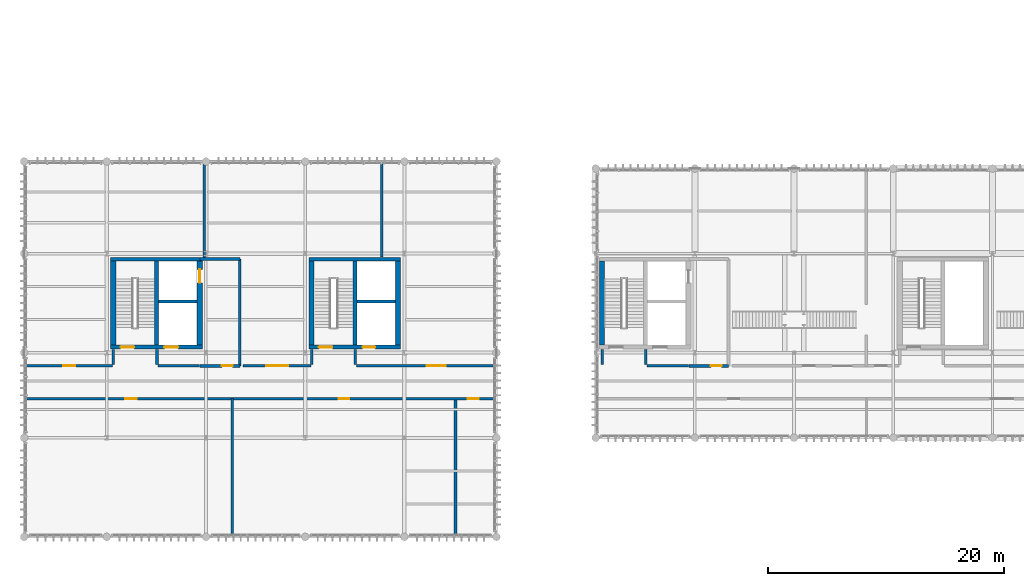
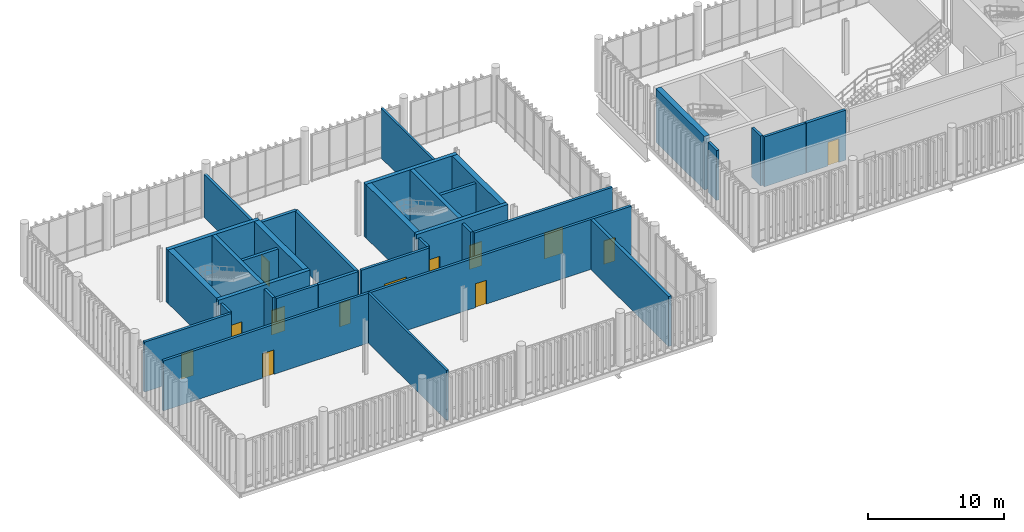
# One storey, part 72 of 86: 33 walls, 13 doors, 13 openings.
"""IFC4 building model written with IfcOpenShell, lengths in metres."""

from ifc_helpers import new_model, si_unit, direction, frame, frame_2d, origin_with_axes, place, context, subcontext, project, spatial, rectangle, extrude, material, layer, layer_set, type_object, element, fill, save


model = new_model("IFC4")

# Units and contexts
model_context = context("Model", 3, precision=1e-05, world=origin_with_axes(), true_north=direction((0.0, 1.0)))
body_context = subcontext(model_context, "Body", "Model", "MODEL_VIEW")
ifc_project = project(units=[si_unit("LENGTHUNIT", "METRE"), si_unit("AREAUNIT", "SQUARE_METRE"), si_unit("VOLUMEUNIT", "CUBIC_METRE"), si_unit("PLANEANGLEUNIT", "RADIAN"), si_unit("MASSUNIT", "GRAM", prefix="KILO"), si_unit("THERMODYNAMICTEMPERATUREUNIT", "KELVIN")], contexts=[model_context])

# Site, building, storey
site_placement = place(None, origin_with_axes())
site = spatial("IfcSite", under=ifc_project, at=site_placement, CompositionType="ELEMENT")
building_placement = place(site_placement, origin_with_axes())
building = spatial("IfcBuilding", under=site, at=building_placement, Name="Montbau Bow Law Courts", CompositionType="ELEMENT")
storey_placement = place(building_placement, frame((0.0, 0.0, 29.7), z_axis=(0.0, 0.0, 1.0), x_axis=(1.0, 0.0, 0.0)))
storey = spatial("IfcBuildingStorey", under=building, at=storey_placement, Name="L06", CompositionType="ELEMENT", Elevation=29.7)

# Wall, opening, door
ifc_material_1 = material(Name="Concrete CSA A23.1 f'c 45 MPa", Category="concrete")
ifc_layer_1 = layer(ifc_material_1, 0.45, Name="Shear Wall", Category="concrete")
ifc_layer_set_1 = layer_set([ifc_layer_1], Name="Concrete CSA A23.1 f'c 45 MPa")
wall_type_1 = type_object("IfcWallType", Name="W-COR-02", PredefinedType="SHEAR", material=ifc_layer_set_1)
wall_1_placement = place(None, frame((21.66, 46.84, 29.7), z_axis=(0.0, 0.0, 1.0), x_axis=(0.0, 1.0, 0.0)))
wall_1 = element("IfcWall", 1, at=wall_1_placement, inside=storey, type_object=wall_type_1, Name="WC-L06-0066:wal_0133", PredefinedType="SHEAR", context=body_context, shape_type="SweptSolid", body=[
    extrude(rectangle(XDim=7.119999999999997, YDim=0.45, at=frame_2d((3.56, 0.0), x_axis=(1.0, 0.0))), origin_with_axes(), (0.0, 0.0, 1.0), 4.8),
])
opening_1_placement = place(None, frame((21.66, 52.69, 29.7), z_axis=(0.0, 0.0, 1.0), x_axis=(0.0, 1.0, 0.0)))
opening_1 = element("IfcOpeningElement", 2, at=opening_1_placement, cuts=wall_1, Name="OP-LD-L06-EL-P2", PredefinedType="OPENING", context=body_context, shape_type="SweptSolid", body=[
    extrude(rectangle(XDim=1.16, YDim=2.2, at=frame_2d((0.0, 1.1), x_axis=(1.0, 0.0))), frame((0.0, 0.235, 0.0), z_axis=(0.0, -1.0, 0.0), x_axis=(1.0, 0.0, 0.0)), (0.0, 0.0, 1.0), 0.47),
])
ifc_material_2 = material(Name="Brushed Stainless Steel Elevator Landing Door", Category="steel")
door_type_1 = type_object("IfcDoorType", Name="LD-PUB-01", OperationType="NOTDEFINED", ParameterTakesPrecedence=False, PredefinedType="DOOR", material=ifc_material_2)
door_1_placement = place(None, frame((21.66, 52.69, 29.7), z_axis=(0.0, 0.0, 1.0), x_axis=(0.0, 1.0, 0.0)))
door_1 = element("IfcDoor", 3, at=door_1_placement, inside=storey, type_object=door_type_1, Name="LD-L06-EL-P2:dor_0067", OperationType="SLIDING_TO_LEFT", OverallHeight=2.2, OverallWidth=1.16, PredefinedType="DOOR", context=body_context, shape_type="SweptSolid", body=[
    extrude(rectangle(XDim=1.16, YDim=2.2, at=frame_2d((0.0, 1.1), x_axis=(1.0, 0.0))), frame((0.0, 0.04, 0.0), z_axis=(0.0, -1.0, 0.0), x_axis=(1.0, 0.0, 0.0)), (0.0, 0.0, 1.0), 0.08),
])
fill(opening_1, door_1)

# Walls
for number, where, z_axis, x_axis, name in (
    (4, (14.34, 53.96, 29.7), (0.0, 0.0, 1.0), (0.0, -1.0, 0.0), "WC-L06-0067:wal_0134"),
    (5, (38.46, 46.84, 29.7), (0.0, 0.0, 1.0), (0.0, 1.0, 0.0), "WC-L06-0126:wal_0193"),
    (6, (31.14, 53.96, 29.7), (0.0, 0.0, 1.0), (0.0, -1.0, 0.0), "WC-L06-0127:wal_0194"),
    (7, (55.74, 53.96, 29.7), (0.0, 0.0, 1.0), (0.0, -1.0, 0.0), "WC-L06-0199:wal_0266"),
):
    element("IfcWall", number, at=place(None, frame(where, z_axis=z_axis, x_axis=x_axis)), inside=storey, type_object=wall_type_1, Name=name, PredefinedType="SHEAR", context=body_context, shape_type="SweptSolid", body=[
        extrude(rectangle(XDim=7.119999999999997, YDim=0.45, at=frame_2d((3.56, 0.0), x_axis=(1.0, 0.0))), origin_with_axes(), (0.0, 0.0, 1.0), 4.8),
    ])

# Wall, openings, doors
ifc_layer_2 = layer(ifc_material_1, 0.32, Name="Shear Wall", Category="concrete")
ifc_layer_set_2 = layer_set([ifc_layer_2], Name="Concrete CSA A23.1 f'c 45 MPa")
wall_type_2 = type_object("IfcWallType", Name="W-COR-05", PredefinedType="SHEAR", material=ifc_layer_set_2)
wall_2_placement = place(None, frame((14.115, 46.68, 29.7), z_axis=(0.0, 0.0, 1.0), x_axis=(1.0, 0.0, 0.0)))
wall_2 = element("IfcWall", 8, at=wall_2_placement, inside=storey, type_object=wall_type_2, Name="WC-L06-0064:wal_0131", PredefinedType="SHEAR", context=body_context, shape_type="SweptSolid", body=[
    extrude(rectangle(XDim=7.770000000000001, YDim=0.32, at=frame_2d((3.885, 0.0), x_axis=(1.0, 0.0))), origin_with_axes(), (0.0, 0.0, 1.0), 4.8),
])
opening_2_placement = place(None, frame((15.535, 46.68, 29.7), z_axis=(0.0, 0.0, 1.0), x_axis=(1.0, 0.0, 0.0)))
opening_2 = element("IfcOpeningElement", 9, at=opening_2_placement, cuts=wall_2, Name="OP-D-L06-ST-P1", PredefinedType="OPENING", context=body_context, shape_type="SweptSolid", body=[
    extrude(rectangle(XDim=1.14, YDim=2.18, at=frame_2d((0.0, 1.09), x_axis=(1.0, 0.0))), frame((0.0, 0.17, 0.0), z_axis=(0.0, -1.0, 0.0), x_axis=(1.0, 0.0, 0.0)), (0.0, 0.0, 1.0), 0.34),
])
opening_3_placement = place(None, frame((19.25, 46.68, 29.7), z_axis=(0.0, 0.0, 1.0), x_axis=(1.0, 0.0, 0.0)))
opening_3 = element("IfcOpeningElement", 10, at=opening_3_placement, cuts=wall_2, Name="OP-LD-L06-EL-P1", PredefinedType="OPENING", context=body_context, shape_type="SweptSolid", body=[
    extrude(rectangle(XDim=1.16, YDim=2.2, at=frame_2d((0.0, 1.1), x_axis=(1.0, 0.0))), frame((0.0, 0.17, 0.0), z_axis=(0.0, -1.0, 0.0), x_axis=(1.0, 0.0, 0.0)), (0.0, 0.0, 1.0), 0.34),
])
ifc_material_3 = material(Name="1.5 h Fire-Rated Hollow-Metal Exit Stair Door", Category="steel")
door_type_2 = type_object("IfcDoorType", Name="D-ST-01", OperationType="NOTDEFINED", ParameterTakesPrecedence=False, PredefinedType="DOOR", material=ifc_material_3)
door_2_placement = place(None, frame((15.535, 46.68, 29.7), z_axis=(0.0, 0.0, 1.0), x_axis=(-1.0, 0.0, 0.0)))
door_2 = element("IfcDoor", 11, at=door_2_placement, inside=storey, type_object=door_type_2, Name="D-L06-ST-P1:dor_0065", OperationType="SINGLE_SWING_RIGHT", OverallHeight=2.18, OverallWidth=1.14, PredefinedType="DOOR", context=body_context, shape_type="SweptSolid", body=[
    extrude(rectangle(XDim=1.14, YDim=2.18, at=frame_2d((0.0, 1.09), x_axis=(1.0, 0.0))), frame((0.0, 0.04, 0.0), z_axis=(0.0, -1.0, 0.0), x_axis=(1.0, 0.0, 0.0)), (0.0, 0.0, 1.0), 0.08),
])
fill(opening_2, door_2)
door_3_placement = place(None, frame((19.25, 46.68, 29.7), z_axis=(0.0, 0.0, 1.0), x_axis=(-1.0, 0.0, 0.0)))
door_3 = element("IfcDoor", 12, at=door_3_placement, inside=storey, type_object=door_type_1, Name="LD-L06-EL-P1:dor_0066", OperationType="SLIDING_TO_LEFT", OverallHeight=2.2, OverallWidth=1.16, PredefinedType="DOOR", context=body_context, shape_type="SweptSolid", body=[
    extrude(rectangle(XDim=1.16, YDim=2.2, at=frame_2d((0.0, 1.1), x_axis=(1.0, 0.0))), frame((0.0, 0.04, 0.0), z_axis=(0.0, -1.0, 0.0), x_axis=(1.0, 0.0, 0.0)), (0.0, 0.0, 1.0), 0.08),
])
fill(opening_3, door_3)

# Walls
wall_3_placement = place(None, frame((21.885, 54.12, 29.7), z_axis=(0.0, 0.0, 1.0), x_axis=(-1.0, 0.0, 0.0)))
element("IfcWall", 13, at=wall_3_placement, inside=storey, type_object=wall_type_2, Name="WC-L06-0065:wal_0132", PredefinedType="SHEAR", context=body_context, shape_type="SweptSolid", body=[
    extrude(rectangle(XDim=7.770000000000001, YDim=0.32, at=frame_2d((3.885, 0.0), x_axis=(1.0, 0.0))), origin_with_axes(), (0.0, 0.0, 1.0), 4.8),
])
wall_4_placement = place(None, frame((18.02, 46.84, 29.7), z_axis=(0.0, 0.0, 1.0), x_axis=(0.0, 1.0, 0.0)))
element("IfcWall", 14, at=wall_4_placement, inside=storey, type_object=wall_type_2, Name="WS-L06-0068:wal_0135", PredefinedType="SHEAR", context=body_context, shape_type="SweptSolid", body=[
    extrude(rectangle(XDim=7.119999999999997, YDim=0.32, at=frame_2d((3.56, 0.0), x_axis=(1.0, 0.0))), origin_with_axes(), (0.0, 0.0, 1.0), 4.8),
])

# Wall, openings, doors
wall_5_placement = place(None, frame((30.915, 46.68, 29.7), z_axis=(0.0, 0.0, 1.0), x_axis=(1.0, 0.0, 0.0)))
wall_5 = element("IfcWall", 15, at=wall_5_placement, inside=storey, type_object=wall_type_2, Name="WC-L06-0124:wal_0191", PredefinedType="SHEAR", context=body_context, shape_type="SweptSolid", body=[
    extrude(rectangle(XDim=7.770000000000003, YDim=0.32, at=frame_2d((3.885, 0.0), x_axis=(1.0, 0.0))), origin_with_axes(), (0.0, 0.0, 1.0), 4.8),
])
opening_4_placement = place(None, frame((32.335, 46.68, 29.7), z_axis=(0.0, 0.0, 1.0), x_axis=(1.0, 0.0, 0.0)))
opening_4 = element("IfcOpeningElement", 16, at=opening_4_placement, cuts=wall_5, Name="OP-D-L06-ST-J1", PredefinedType="OPENING", context=body_context, shape_type="SweptSolid", body=[
    extrude(rectangle(XDim=1.14, YDim=2.18, at=frame_2d((0.0, 1.09), x_axis=(1.0, 0.0))), frame((0.0, 0.17, 0.0), z_axis=(0.0, -1.0, 0.0), x_axis=(1.0, 0.0, 0.0)), (0.0, 0.0, 1.0), 0.34),
])
opening_5_placement = place(None, frame((36.0, 46.68, 29.7), z_axis=(0.0, 0.0, 1.0), x_axis=(1.0, 0.0, 0.0)))
opening_5 = element("IfcOpeningElement", 17, at=opening_5_placement, cuts=wall_5, Name="OP-LD-L06-EL-J1", PredefinedType="OPENING", context=body_context, shape_type="SweptSolid", body=[
    extrude(rectangle(XDim=1.06, YDim=2.16, at=frame_2d((0.0, 1.08), x_axis=(1.0, 0.0))), frame((0.0, 0.17, 0.0), z_axis=(0.0, -1.0, 0.0), x_axis=(1.0, 0.0, 0.0)), (0.0, 0.0, 1.0), 0.34),
])
door_4_placement = place(None, frame((32.335, 46.68, 29.7), z_axis=(0.0, 0.0, 1.0), x_axis=(-1.0, 0.0, 0.0)))
door_4 = element("IfcDoor", 18, at=door_4_placement, inside=storey, type_object=door_type_2, Name="D-L06-ST-J1:dor_0087", OperationType="SINGLE_SWING_RIGHT", OverallHeight=2.18, OverallWidth=1.14, PredefinedType="DOOR", context=body_context, shape_type="SweptSolid", body=[
    extrude(rectangle(XDim=1.14, YDim=2.18, at=frame_2d((0.0, 1.09), x_axis=(1.0, 0.0))), frame((0.0, 0.04, 0.0), z_axis=(0.0, -1.0, 0.0), x_axis=(1.0, 0.0, 0.0)), (0.0, 0.0, 1.0), 0.08),
])
fill(opening_4, door_4)
ifc_material_4 = material(Name="Bronze-Clad Judicial Elevator Landing Door", Category="steel")
door_type_3 = type_object("IfcDoorType", Name="LD-JUD-01", OperationType="NOTDEFINED", ParameterTakesPrecedence=False, PredefinedType="DOOR", material=ifc_material_4)
door_5_placement = place(None, frame((36.0, 46.68, 29.7), z_axis=(0.0, 0.0, 1.0), x_axis=(-1.0, 0.0, 0.0)))
door_5 = element("IfcDoor", 19, at=door_5_placement, inside=storey, type_object=door_type_3, Name="LD-L06-EL-J1:dor_0088", OperationType="SLIDING_TO_LEFT", OverallHeight=2.16, OverallWidth=1.06, PredefinedType="DOOR", context=body_context, shape_type="SweptSolid", body=[
    extrude(rectangle(XDim=1.06, YDim=2.16, at=frame_2d((0.0, 1.08), x_axis=(1.0, 0.0))), frame((0.0, 0.04, 0.0), z_axis=(0.0, -1.0, 0.0), x_axis=(1.0, 0.0, 0.0)), (0.0, 0.0, 1.0), 0.08),
])
fill(opening_5, door_5)

# Walls
wall_6_placement = place(None, frame((38.685, 54.12, 29.7), z_axis=(0.0, 0.0, 1.0), x_axis=(-1.0, 0.0, 0.0)))
element("IfcWall", 20, at=wall_6_placement, inside=storey, type_object=wall_type_2, Name="WC-L06-0125:wal_0192", PredefinedType="SHEAR", context=body_context, shape_type="SweptSolid", body=[
    extrude(rectangle(XDim=7.770000000000003, YDim=0.32, at=frame_2d((3.885, 0.0), x_axis=(1.0, 0.0))), origin_with_axes(), (0.0, 0.0, 1.0), 4.8),
])
wall_7_placement = place(None, frame((34.82, 46.84, 29.7), z_axis=(0.0, 0.0, 1.0), x_axis=(0.0, 1.0, 0.0)))
element("IfcWall", 21, at=wall_7_placement, inside=storey, type_object=wall_type_2, Name="WS-L06-0128:wal_0195", PredefinedType="SHEAR", context=body_context, shape_type="SweptSolid", body=[
    extrude(rectangle(XDim=7.119999999999997, YDim=0.32, at=frame_2d((3.56, 0.0), x_axis=(1.0, 0.0))), origin_with_axes(), (0.0, 0.0, 1.0), 4.8),
])
ifc_material_5 = material(Name="Double-Stud Acoustic Plumbing Chase Gypsum Assembly", Category="gypsum")
ifc_layer_3 = layer(ifc_material_5, 0.26, Name="Plumbing Wall", Category="gypsum")
ifc_layer_set_3 = layer_set([ifc_layer_3], Name="Double-Stud Acoustic Plumbing Chase Gypsum Assembly")
wall_type_3 = type_object("IfcWallType", Name="W-PLM-01", PredefinedType="PLUMBINGWALL", material=ifc_layer_set_3)
wall_8_placement = place(None, frame((43.34, 30.78, 29.7), z_axis=(0.0, 0.0, 1.0), x_axis=(0.0, 1.0, 0.0)))
element("IfcWall", 22, at=wall_8_placement, inside=storey, type_object=wall_type_3, Name="WD-L06-0879:wal_0946", PredefinedType="PLUMBINGWALL", context=body_context, shape_type="SweptSolid", body=[
    extrude(rectangle(XDim=11.43, YDim=0.26, at=frame_2d((5.715, 0.0), x_axis=(1.0, 0.0))), origin_with_axes(), (0.0, 0.0, 1.0), 4.48),
])
ifc_material_6 = material(Name="2 h Shaft and Exit-Passage Fire Separation Partition", Category="gypsum")
ifc_layer_4 = layer(ifc_material_6, 0.25, Name="Partition", Category="gypsum")
ifc_layer_set_4 = layer_set([ifc_layer_4], Name="2 h Shaft and Exit-Passage Fire Separation Partition")
wall_type_4 = type_object("IfcWallType", Name="W-PRT-01", PredefinedType="PARTITIONING", material=ifc_layer_set_4)
wall_9_placement = place(None, frame((18.18, 50.549, 29.7), z_axis=(0.0, 0.0, 1.0), x_axis=(1.0, 0.0, 0.0)))
element("IfcWall", 23, at=wall_9_placement, inside=storey, type_object=wall_type_4, Name="WS-L06-0069:wal_0136", PredefinedType="PARTITIONING", context=body_context, shape_type="SweptSolid", body=[
    extrude(rectangle(XDim=3.254999999999999, YDim=0.25, at=frame_2d((1.6275, 0.0), x_axis=(1.0, 0.0))), origin_with_axes(), (0.0, 0.0, 1.0), 4.48),
])
wall_10_placement = place(None, frame((25.06, 45.09, 29.7), z_axis=(0.0, 0.0, 1.0), x_axis=(0.0, 1.0, 0.0)))
element("IfcWall", 24, at=wall_10_placement, inside=storey, type_object=wall_type_4, Name="WEL-L06-0070:wal_0137", PredefinedType="PARTITIONING", context=body_context, shape_type="SweptSolid", body=[
    extrude(rectangle(XDim=9.029999999999994, YDim=0.25, at=frame_2d((4.515, 0.0), x_axis=(1.0, 0.0))), origin_with_axes(), (0.0, 0.0, 1.0), 4.48),
])
wall_11_placement = place(None, frame((21.7, 54.12, 29.7), z_axis=(0.0, 0.0, 1.0), x_axis=(1.0, 0.0, 0.0)))
element("IfcWall", 25, at=wall_11_placement, inside=storey, type_object=wall_type_4, Name="WEL-L06-0071:wal_0138", PredefinedType="PARTITIONING", context=body_context, shape_type="SweptSolid", body=[
    extrude(rectangle(XDim=3.3599999999999994, YDim=0.25, at=frame_2d((1.68, 0.0), x_axis=(1.0, 0.0))), origin_with_axes(), (0.0, 0.0, 1.0), 4.48),
])

# Wall, opening, door
wall_12_placement = place(None, frame((21.7, 45.09, 29.7), z_axis=(0.0, 0.0, 1.0), x_axis=(1.0, 0.0, 0.0)))
wall_12 = element("IfcWall", 26, at=wall_12_placement, inside=storey, type_object=wall_type_4, Name="WEL-L06-0072:wal_0139", PredefinedType="PARTITIONING", context=body_context, shape_type="SweptSolid", body=[
    extrude(rectangle(XDim=3.3599999999999994, YDim=0.25, at=frame_2d((1.68, 0.0), x_axis=(1.0, 0.0))), origin_with_axes(), (0.0, 0.0, 1.0), 4.48),
])
opening_6_placement = place(None, frame((24.005, 45.09, 29.7), z_axis=(0.0, 0.0, 1.0), x_axis=(1.0, 0.0, 0.0)))
opening_6 = element("IfcOpeningElement", 27, at=opening_6_placement, cuts=wall_12, Name="OP-D-L06-ELB-CORE-W1", PredefinedType="OPENING", context=body_context, shape_type="SweptSolid", body=[
    extrude(rectangle(XDim=0.91, YDim=2.12, at=frame_2d((0.0, 1.06), x_axis=(1.0, 0.0))), frame((0.0, 0.135, 0.0), z_axis=(0.0, -1.0, 0.0), x_axis=(1.0, 0.0, 0.0)), (0.0, 0.0, 1.0), 0.27),
])
ifc_material_7 = material(Name="Public and Judicial Washroom Solid-Core Door", Category="wood")
door_type_4 = type_object("IfcDoorType", Name="D-WC-02", OperationType="NOTDEFINED", ParameterTakesPrecedence=False, PredefinedType="DOOR", material=ifc_material_7)
door_6_placement = place(None, frame((24.005, 45.09, 29.7), z_axis=(0.0, 0.0, 1.0), x_axis=(1.0, 0.0, 0.0)))
door_6 = element("IfcDoor", 28, at=door_6_placement, inside=storey, type_object=door_type_4, Name="D-L06-ELB-CORE-W1:dor_0068", OperationType="SINGLE_SWING_LEFT", OverallHeight=2.12, OverallWidth=0.91, PredefinedType="DOOR", context=body_context, shape_type="SweptSolid", body=[
    extrude(rectangle(XDim=0.91, YDim=2.12, at=frame_2d((0.0, 1.06), x_axis=(1.0, 0.0))), frame((0.0, 0.04, 0.0), z_axis=(0.0, -1.0, 0.0), x_axis=(1.0, 0.0, 0.0)), (0.0, 0.0, 1.0), 0.08),
])
fill(opening_6, door_6)

# Wall
wall_13_placement = place(None, frame((34.98, 50.549, 29.7), z_axis=(0.0, 0.0, 1.0), x_axis=(1.0, 0.0, 0.0)))
element("IfcWall", 29, at=wall_13_placement, inside=storey, type_object=wall_type_4, Name="WS-L06-0129:wal_0196", PredefinedType="PARTITIONING", context=body_context, shape_type="SweptSolid", body=[
    extrude(rectangle(XDim=3.2550000000000026, YDim=0.25, at=frame_2d((1.6275, 0.0), x_axis=(1.0, 0.0))), origin_with_axes(), (0.0, 0.0, 1.0), 4.48),
])

# Wall, opening, door
wall_14_placement = place(None, frame((63.1, 45.09, 29.7), z_axis=(0.0, 0.0, 1.0), x_axis=(1.0, 0.0, 0.0)))
wall_14 = element("IfcWall", 30, at=wall_14_placement, inside=storey, type_object=wall_type_4, Name="WEL-L06-0204:wal_0271", PredefinedType="PARTITIONING", context=body_context, shape_type="SweptSolid", body=[
    extrude(rectangle(XDim=3.3599999999999923, YDim=0.25, at=frame_2d((1.68, 0.0), x_axis=(1.0, 0.0))), origin_with_axes(), (0.0, 0.0, 1.0), 4.48),
])
opening_7_placement = place(None, frame((65.405, 45.09, 29.7), z_axis=(0.0, 0.0, 1.0), x_axis=(1.0, 0.0, 0.0)))
opening_7 = element("IfcOpeningElement", 31, at=opening_7_placement, cuts=wall_14, Name="OP-D-L06-ELB-CORE-C1", PredefinedType="OPENING", context=body_context, shape_type="SweptSolid", body=[
    extrude(rectangle(XDim=0.91, YDim=2.12, at=frame_2d((0.0, 1.06), x_axis=(1.0, 0.0))), frame((0.0, 0.135, 0.0), z_axis=(0.0, -1.0, 0.0), x_axis=(1.0, 0.0, 0.0)), (0.0, 0.0, 1.0), 0.27),
])
door_7_placement = place(None, frame((65.405, 45.09, 29.7), z_axis=(0.0, 0.0, 1.0), x_axis=(1.0, 0.0, 0.0)))
door_7 = element("IfcDoor", 32, at=door_7_placement, inside=storey, type_object=door_type_4, Name="D-L06-ELB-CORE-C1:dor_0120", OperationType="SINGLE_SWING_LEFT", OverallHeight=2.12, OverallWidth=0.91, PredefinedType="DOOR", context=body_context, shape_type="SweptSolid", body=[
    extrude(rectangle(XDim=0.91, YDim=2.12, at=frame_2d((0.0, 1.06), x_axis=(1.0, 0.0))), frame((0.0, 0.04, 0.0), z_axis=(0.0, -1.0, 0.0), x_axis=(1.0, 0.0, 0.0)), (0.0, 0.0, 1.0), 0.08),
])
fill(opening_7, door_7)

# Walls
ifc_material_8 = material(Name="STC-60 High-Acoustic Courtroom Perimeter Partition", Category="gypsum")
ifc_layer_5 = layer(ifc_material_8, 0.22, Name="Partition", Category="gypsum")
ifc_layer_set_5 = layer_set([ifc_layer_5], Name="STC-60 High-Acoustic Courtroom Perimeter Partition")
wall_type_5 = type_object("IfcWallType", Name="W-PRT-02", PredefinedType="PARTITIONING", material=ifc_layer_set_5)
for number, where, z_axis, x_axis, name in (
    (33, (14.34, 45.22, 29.7), (0.0, 0.0, 1.0), (0.0, 1.0, 0.0), "WCX-L06-0870:wal_0937"),
    (34, (18.05, 45.22, 29.7), (0.0, 0.0, 1.0), (0.0, 1.0, 0.0), "WCX-L06-0871:wal_0938"),
    (35, (31.14, 45.22, 29.7), (0.0, 0.0, 1.0), (0.0, 1.0, 0.0), "WCX-L06-0872:wal_0939"),
    (36, (34.85, 45.22, 29.7), (0.0, 0.0, 1.0), (0.0, 1.0, 0.0), "WCX-L06-0873:wal_0940"),
):
    element("IfcWall", number, at=place(None, frame(where, z_axis=z_axis, x_axis=x_axis)), inside=storey, type_object=wall_type_5, Name=name, PredefinedType="PARTITIONING", context=body_context, shape_type="SweptSolid", body=[
        extrude(rectangle(XDim=1.259999999999998, YDim=0.22, at=frame_2d((0.63, 0.0), x_axis=(1.0, 0.0))), origin_with_axes(), (0.0, 0.0, 1.0), 4.48),
    ])

# Wall, opening, door
wall_15_placement = place(None, frame((6.94, 45.09, 29.7), z_axis=(0.0, 0.0, 1.0), x_axis=(1.0, 0.0, 0.0)))
wall_15 = element("IfcWall", 37, at=wall_15_placement, inside=storey, type_object=wall_type_5, Name="WP-L06-0874:wal_0941", PredefinedType="PARTITIONING", context=body_context, shape_type="SweptSolid", body=[
    extrude(rectangle(XDim=7.36, YDim=0.22, at=frame_2d((3.68, 0.0), x_axis=(1.0, 0.0))), origin_with_axes(), (0.0, 0.0, 1.0), 4.48),
])
opening_8_placement = place(None, frame((10.62, 45.09, 29.7), z_axis=(0.0, 0.0, 1.0), x_axis=(1.0, 0.0, 0.0)))
opening_8 = element("IfcOpeningElement", 38, at=opening_8_placement, cuts=wall_15, Name="OP-D-L06-370", PredefinedType="OPENING", context=body_context, shape_type="SweptSolid", body=[
    extrude(rectangle(XDim=1.0, YDim=2.28, at=frame_2d((0.0, 1.14), x_axis=(1.0, 0.0))), frame((0.0, 0.12, 0.0), z_axis=(0.0, -1.0, 0.0), x_axis=(1.0, 0.0, 0.0)), (0.0, 0.0, 1.0), 0.24),
])
ifc_material_9 = material(Name="Prisoner Dock Security Steel Acoustic Door", Category="steel")
door_type_5 = type_object("IfcDoorType", Name="D-CRT-06", OperationType="NOTDEFINED", ParameterTakesPrecedence=False, PredefinedType="DOOR", material=ifc_material_9)
door_8_placement = place(None, frame((10.62, 45.09, 29.7), z_axis=(0.0, 0.0, 1.0), x_axis=(-1.0, 0.0, 0.0)))
door_8 = element("IfcDoor", 39, at=door_8_placement, inside=storey, type_object=door_type_5, Name="D-L06-370:dor_0405", OperationType="SINGLE_SWING_RIGHT", OverallHeight=2.28, OverallWidth=1.0, PredefinedType="DOOR", context=body_context, shape_type="SweptSolid", body=[
    extrude(rectangle(XDim=1.0, YDim=2.28, at=frame_2d((0.0, 1.14), x_axis=(1.0, 0.0))), frame((0.0, 0.04, 0.0), z_axis=(0.0, -1.0, 0.0), x_axis=(1.0, 0.0, 0.0)), (0.0, 0.0, 1.0), 0.08),
])
fill(opening_8, door_8)

# Wall
wall_16_placement = place(None, frame((18.15, 45.09, 29.7), z_axis=(0.0, 0.0, 1.0), x_axis=(1.0, 0.0, 0.0)))
element("IfcWall", 40, at=wall_16_placement, inside=storey, type_object=wall_type_5, Name="WP-L06-0875:wal_0942", PredefinedType="PARTITIONING", context=body_context, shape_type="SweptSolid", body=[
    extrude(rectangle(XDim=3.5100000000000016, YDim=0.22, at=frame_2d((1.755, 0.0), x_axis=(1.0, 0.0))), origin_with_axes(), (0.0, 0.0, 1.0), 4.48),
])

# Wall, opening, door
wall_17_placement = place(None, frame((25.355, 45.09, 29.7), z_axis=(0.0, 0.0, 1.0), x_axis=(1.0, 0.0, 0.0)))
wall_17 = element("IfcWall", 41, at=wall_17_placement, inside=storey, type_object=wall_type_5, Name="WP-L06-0876:wal_0943", PredefinedType="PARTITIONING", context=body_context, shape_type="SweptSolid", body=[
    extrude(rectangle(XDim=5.745000000000001, YDim=0.22, at=frame_2d((2.8725, 0.0), x_axis=(1.0, 0.0))), origin_with_axes(), (0.0, 0.0, 1.0), 4.48),
])
opening_9_placement = place(None, frame((28.227, 45.09, 29.7), z_axis=(0.0, 0.0, 1.0), x_axis=(1.0, 0.0, 0.0)))
opening_9 = element("IfcOpeningElement", 42, at=opening_9_placement, cuts=wall_17, Name="OP-D-L06-371", PredefinedType="OPENING", context=body_context, shape_type="SweptSolid", body=[
    extrude(rectangle(XDim=1.88, YDim=2.56, at=frame_2d((0.0, 1.28), x_axis=(1.0, 0.0))), frame((0.0, 0.12, 0.0), z_axis=(0.0, -1.0, 0.0), x_axis=(1.0, 0.0, 0.0)), (0.0, 0.0, 1.0), 0.24),
])
ifc_material_10 = material(Name="Acoustic White-Oak Criminal Jury Courtroom Double Door", Category="wood")
door_type_6 = type_object("IfcDoorType", Name="D-CRT-02", OperationType="NOTDEFINED", ParameterTakesPrecedence=False, PredefinedType="DOOR", material=ifc_material_10)
door_9_placement = place(None, frame((28.227, 45.09, 29.7), z_axis=(0.0, 0.0, 1.0), x_axis=(-1.0, 0.0, 0.0)))
door_9 = element("IfcDoor", 43, at=door_9_placement, inside=storey, type_object=door_type_6, Name="D-L06-371:dor_0406", OperationType="DOUBLE_DOOR_SINGLE_SWING", OverallHeight=2.56, OverallWidth=1.88, PredefinedType="DOOR", context=body_context, shape_type="SweptSolid", body=[
    extrude(rectangle(XDim=1.88, YDim=2.56, at=frame_2d((0.0, 1.28), x_axis=(1.0, 0.0))), frame((0.0, 0.04, 0.0), z_axis=(0.0, -1.0, 0.0), x_axis=(1.0, 0.0, 0.0)), (0.0, 0.0, 1.0), 0.08),
])
fill(opening_9, door_9)

wall_18_placement = place(None, frame((34.95, 45.09, 29.7), z_axis=(0.0, 0.0, 1.0), x_axis=(1.0, 0.0, 0.0)))
wall_18 = element("IfcWall", 44, at=wall_18_placement, inside=storey, type_object=wall_type_5, Name="WP-L06-0877:wal_0944", PredefinedType="PARTITIONING", context=body_context, shape_type="SweptSolid", body=[
    extrude(rectangle(XDim=11.709999999999994, YDim=0.22, at=frame_2d((5.855, 0.0), x_axis=(1.0, 0.0))), origin_with_axes(), (0.0, 0.0, 1.0), 4.48),
])
opening_10_placement = place(None, frame((41.711, 45.09, 29.7), z_axis=(0.0, 0.0, 1.0), x_axis=(1.0, 0.0, 0.0)))
opening_10 = element("IfcOpeningElement", 45, at=opening_10_placement, cuts=wall_18, Name="OP-D-L06-372", PredefinedType="OPENING", context=body_context, shape_type="SweptSolid", body=[
    extrude(rectangle(XDim=1.6, YDim=2.32, at=frame_2d((0.0, 1.16), x_axis=(1.0, 0.0))), frame((0.0, 0.12, 0.0), z_axis=(0.0, -1.0, 0.0), x_axis=(1.0, 0.0, 0.0)), (0.0, 0.0, 1.0), 0.24),
])
ifc_material_11 = material(Name="Jury Assembly Lounge Glazed Oak Double Door", Category="wood")
door_type_7 = type_object("IfcDoorType", Name="D-JUR-02", OperationType="NOTDEFINED", ParameterTakesPrecedence=False, PredefinedType="DOOR", material=ifc_material_11)
door_10_placement = place(None, frame((41.711, 45.09, 29.7), z_axis=(0.0, 0.0, 1.0), x_axis=(-1.0, 0.0, 0.0)))
door_10 = element("IfcDoor", 46, at=door_10_placement, inside=storey, type_object=door_type_7, Name="D-L06-372:dor_0407", OperationType="DOUBLE_DOOR_SINGLE_SWING", OverallHeight=2.32, OverallWidth=1.6, PredefinedType="DOOR", context=body_context, shape_type="SweptSolid", body=[
    extrude(rectangle(XDim=1.6, YDim=2.32, at=frame_2d((0.0, 1.16), x_axis=(1.0, 0.0))), frame((0.0, 0.04, 0.0), z_axis=(0.0, -1.0, 0.0), x_axis=(1.0, 0.0, 0.0)), (0.0, 0.0, 1.0), 0.08),
])
fill(opening_10, door_10)

# Wall, openings, doors
wall_19_placement = place(None, frame((6.94, 42.31, 29.7), z_axis=(0.0, 0.0, 1.0), x_axis=(1.0, 0.0, 0.0)))
wall_19 = element("IfcWall", 47, at=wall_19_placement, inside=storey, type_object=wall_type_5, Name="WP-L06-0878:wal_0945", PredefinedType="PARTITIONING", context=body_context, shape_type="SweptSolid", body=[
    extrude(rectangle(XDim=39.72, YDim=0.22, at=frame_2d((19.86, 0.0), x_axis=(1.0, 0.0))), origin_with_axes(), (0.0, 0.0, 1.0), 4.48),
])
opening_11_placement = place(None, frame((15.845, 42.31, 29.7), z_axis=(0.0, 0.0, 1.0), x_axis=(1.0, 0.0, 0.0)))
opening_11 = element("IfcOpeningElement", 48, at=opening_11_placement, cuts=wall_19, Name="OP-D-L06-373", PredefinedType="OPENING", context=body_context, shape_type="SweptSolid", body=[
    extrude(rectangle(XDim=0.96, YDim=2.2, at=frame_2d((0.0, 1.1), x_axis=(1.0, 0.0))), frame((0.0, 0.12, 0.0), z_axis=(0.0, -1.0, 0.0), x_axis=(1.0, 0.0, 0.0)), (0.0, 0.0, 1.0), 0.24),
])
opening_12_placement = place(None, frame((33.883, 42.31, 29.7), z_axis=(0.0, 0.0, 1.0), x_axis=(1.0, 0.0, 0.0)))
opening_12 = element("IfcOpeningElement", 49, at=opening_12_placement, cuts=wall_19, Name="OP-D-L06-374", PredefinedType="OPENING", context=body_context, shape_type="SweptSolid", body=[
    extrude(rectangle(XDim=0.92, YDim=2.14, at=frame_2d((0.0, 1.07), x_axis=(1.0, 0.0))), frame((0.0, 0.12, 0.0), z_axis=(0.0, -1.0, 0.0), x_axis=(1.0, 0.0, 0.0)), (0.0, 0.0, 1.0), 0.24),
])
opening_13_placement = place(None, frame((44.838, 42.31, 29.7), z_axis=(0.0, 0.0, 1.0), x_axis=(1.0, 0.0, 0.0)))
opening_13 = element("IfcOpeningElement", 50, at=opening_13_placement, cuts=wall_19, Name="OP-D-L06-375", PredefinedType="OPENING", context=body_context, shape_type="SweptSolid", body=[
    extrude(rectangle(XDim=0.95, YDim=2.1, at=frame_2d((0.0, 1.05), x_axis=(1.0, 0.0))), frame((0.0, 0.12, 0.0), z_axis=(0.0, -1.0, 0.0), x_axis=(1.0, 0.0, 0.0)), (0.0, 0.0, 1.0), 0.24),
])
ifc_material_12 = material(Name="Resident Judge Chambers Solid White-Oak Door", Category="wood")
door_type_8 = type_object("IfcDoorType", Name="D-CHM-01", OperationType="NOTDEFINED", ParameterTakesPrecedence=False, PredefinedType="DOOR", material=ifc_material_12)
door_11_placement = place(None, frame((15.845, 42.31, 29.7), z_axis=(0.0, 0.0, 1.0), x_axis=(1.0, 0.0, 0.0)))
door_11 = element("IfcDoor", 51, at=door_11_placement, inside=storey, type_object=door_type_8, Name="D-L06-373:dor_0408", OperationType="SINGLE_SWING_LEFT", OverallHeight=2.2, OverallWidth=0.96, PredefinedType="DOOR", context=body_context, shape_type="SweptSolid", body=[
    extrude(rectangle(XDim=0.96, YDim=2.2, at=frame_2d((0.0, 1.1), x_axis=(1.0, 0.0))), frame((0.0, 0.04, 0.0), z_axis=(0.0, -1.0, 0.0), x_axis=(1.0, 0.0, 0.0)), (0.0, 0.0, 1.0), 0.08),
])
fill(opening_11, door_11)
ifc_material_13 = material(Name="Judicial Law Clerk and Registry Office Oak Door", Category="wood")
door_type_9 = type_object("IfcDoorType", Name="D-OFF-01", OperationType="NOTDEFINED", ParameterTakesPrecedence=False, PredefinedType="DOOR", material=ifc_material_13)
door_12_placement = place(None, frame((33.883, 42.31, 29.7), z_axis=(0.0, 0.0, 1.0), x_axis=(1.0, 0.0, 0.0)))
door_12 = element("IfcDoor", 52, at=door_12_placement, inside=storey, type_object=door_type_9, Name="D-L06-374:dor_0409", OperationType="SINGLE_SWING_RIGHT", OverallHeight=2.14, OverallWidth=0.92, PredefinedType="DOOR", context=body_context, shape_type="SweptSolid", body=[
    extrude(rectangle(XDim=0.92, YDim=2.14, at=frame_2d((0.0, 1.07), x_axis=(1.0, 0.0))), frame((0.0, 0.04, 0.0), z_axis=(0.0, -1.0, 0.0), x_axis=(1.0, 0.0, 0.0)), (0.0, 0.0, 1.0), 0.08),
])
fill(opening_12, door_12)
ifc_material_14 = material(Name="CSA B651 Universal Barrier-Free Washroom Door", Category="wood")
door_type_10 = type_object("IfcDoorType", Name="D-WC-01", OperationType="NOTDEFINED", ParameterTakesPrecedence=False, PredefinedType="DOOR", material=ifc_material_14)
door_13_placement = place(None, frame((44.838, 42.31, 29.7), z_axis=(0.0, 0.0, 1.0), x_axis=(1.0, 0.0, 0.0)))
door_13 = element("IfcDoor", 53, at=door_13_placement, inside=storey, type_object=door_type_10, Name="D-L06-375:dor_0410", OperationType="SINGLE_SWING_LEFT", OverallHeight=2.1, OverallWidth=0.95, PredefinedType="DOOR", context=body_context, shape_type="SweptSolid", body=[
    extrude(rectangle(XDim=0.95, YDim=2.1, at=frame_2d((0.0, 1.05), x_axis=(1.0, 0.0))), frame((0.0, 0.04, 0.0), z_axis=(0.0, -1.0, 0.0), x_axis=(1.0, 0.0, 0.0)), (0.0, 0.0, 1.0), 0.08),
])
fill(opening_13, door_13)

# Walls
wall_20_placement = place(None, frame((22.053, 54.24, 29.7), z_axis=(0.0, 0.0, 1.0), x_axis=(0.0, 1.0, 0.0)))
element("IfcWall", 54, at=wall_20_placement, inside=storey, type_object=wall_type_5, Name="WD-L06-0880:wal_0947", PredefinedType="PARTITIONING", context=body_context, shape_type="SweptSolid", body=[
    extrude(rectangle(XDim=8.019999999999996, YDim=0.22, at=frame_2d((4.01, 0.0), x_axis=(1.0, 0.0))), origin_with_axes(), (0.0, 0.0, 1.0), 3.858),
])
for number, where, z_axis, x_axis, name in (
    (55, (55.74, 45.22, 29.7), (0.0, 0.0, 1.0), (0.0, 1.0, 0.0), "WCX-L06-0883:wal_0950"),
    (56, (59.45, 45.22, 29.7), (0.0, 0.0, 1.0), (0.0, 1.0, 0.0), "WCX-L06-0884:wal_0951"),
):
    element("IfcWall", number, at=place(None, frame(where, z_axis=z_axis, x_axis=x_axis)), inside=storey, type_object=wall_type_5, Name=name, PredefinedType="PARTITIONING", context=body_context, shape_type="SweptSolid", body=[
        extrude(rectangle(XDim=1.259999999999998, YDim=0.22, at=frame_2d((0.63, 0.0), x_axis=(1.0, 0.0))), origin_with_axes(), (0.0, 0.0, 1.0), 4.48),
    ])
wall_21_placement = place(None, frame((59.55, 45.09, 29.7), z_axis=(0.0, 0.0, 1.0), x_axis=(1.0, 0.0, 0.0)))
element("IfcWall", 57, at=wall_21_placement, inside=storey, type_object=wall_type_5, Name="WP-L06-0887:wal_0954", PredefinedType="PARTITIONING", context=body_context, shape_type="SweptSolid", body=[
    extrude(rectangle(XDim=3.510000000000005, YDim=0.22, at=frame_2d((1.755, 0.0), x_axis=(1.0, 0.0))), origin_with_axes(), (0.0, 0.0, 1.0), 4.48),
])
ifc_material_15 = material(Name="1 h Corridor Fire-Rated Gypsum Partition", Category="gypsum")
ifc_layer_6 = layer(ifc_material_15, 0.18, Name="Partition", Category="gypsum")
ifc_layer_set_6 = layer_set([ifc_layer_6], Name="1 h Corridor Fire-Rated Gypsum Partition")
wall_type_6 = type_object("IfcWallType", Name="W-PRT-04", PredefinedType="PARTITIONING", material=ifc_layer_set_6)
wall_22_placement = place(None, frame((37.086, 54.3, 29.7), z_axis=(0.0, 0.0, 1.0), x_axis=(0.0, 1.0, 0.0)))
element("IfcWall", 58, at=wall_22_placement, inside=storey, type_object=wall_type_6, Name="WD-L06-0881:wal_0948", PredefinedType="PARTITIONING", context=body_context, shape_type="SweptSolid", body=[
    extrude(rectangle(XDim=7.960000000000001, YDim=0.18, at=frame_2d((3.98, 0.0), x_axis=(1.0, 0.0))), origin_with_axes(), (0.0, 0.0, 1.0), 4.48),
])
wall_23_placement = place(None, frame((24.426, 30.74, 29.7), z_axis=(0.0, 0.0, 1.0), x_axis=(0.0, 1.0, 0.0)))
element("IfcWall", 59, at=wall_23_placement, inside=storey, type_object=wall_type_6, Name="WD-L06-0882:wal_0949", PredefinedType="PARTITIONING", context=body_context, shape_type="SweptSolid", body=[
    extrude(rectangle(XDim=11.570000000000004, YDim=0.18, at=frame_2d((5.785, 0.0), x_axis=(1.0, 0.0))), origin_with_axes(), (0.0, 0.0, 1.0), 4.48),
])

save(model, "model.ifc")
